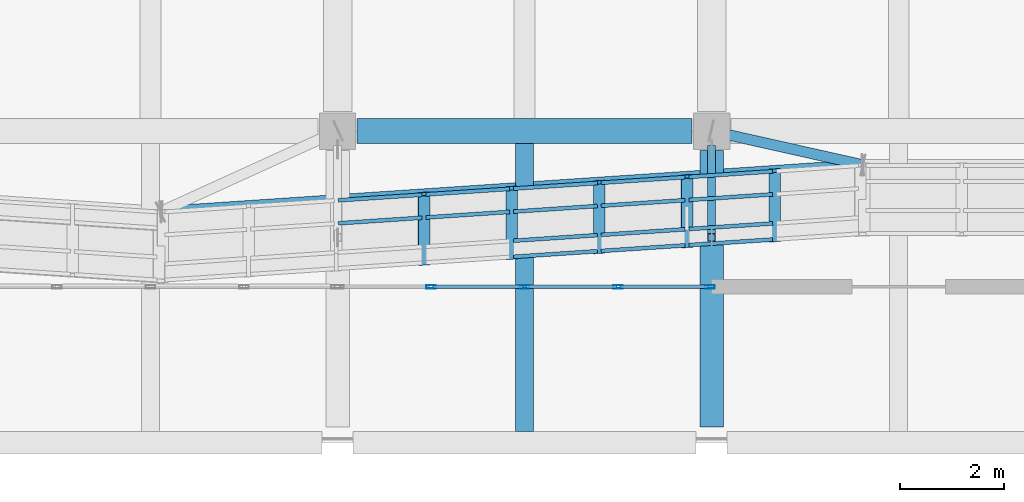
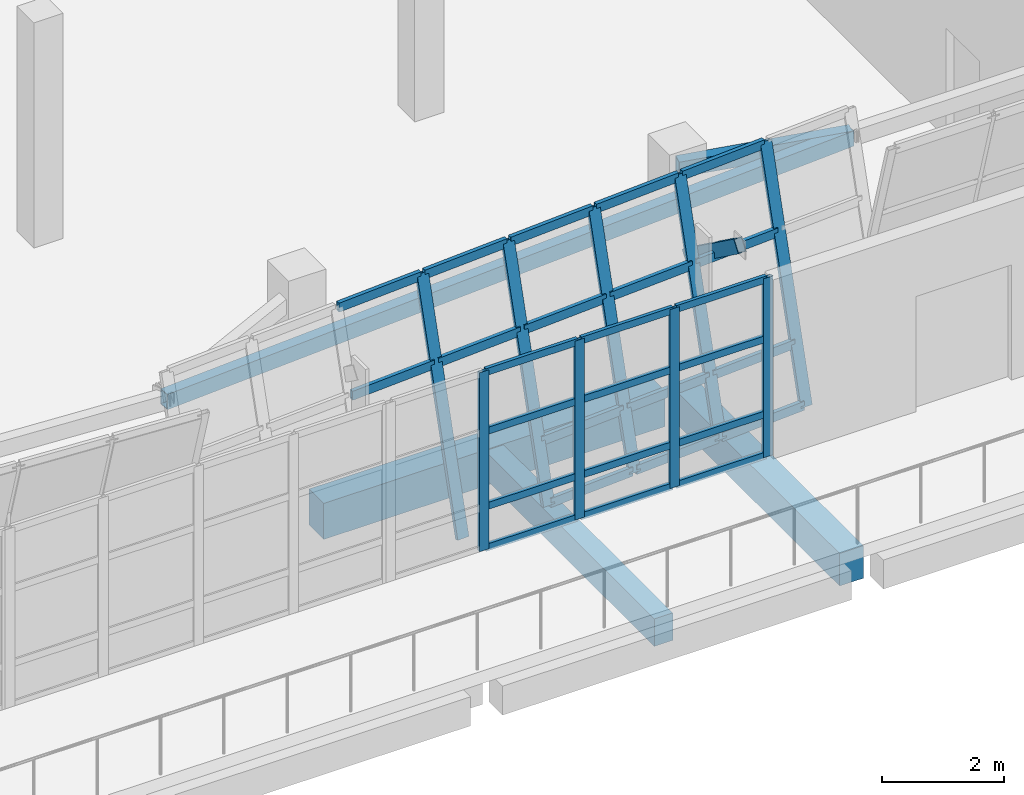
# One storey, part 12 of 67: 38 members, 5 beams, 2 elements without a shape of their own.
"""IFC4 building model written with IfcOpenShell, lengths in metres."""

import ifcopenshell
import ifcopenshell.guid

model = None  # the IFC model being written
_history = None  # IfcOwnerHistory: only IFC2X3 demands one
_inside = {}  # id of a spatial element -> (the spatial element, [elements in it])
_under = {}  # id of a project, library or spatial element -> (it, [spatial elements below it])
_declared = {}  # id of a project -> (the project, [libraries it declares])
_typed = {}  # id of a type object -> (the type object, [elements of that type])
_made_of = {}  # id of a material, layer set ... -> (it, [elements and type objects made of it])


def new_model(schema):
    """Start an empty IFC model of exactly this schema.

    Asked for "IFC4X3", IfcOpenShell would pick the latest addendum, in which some entities
    have other attributes; the version numbers below select the first issue.
    IFC2X3 requires an IfcOwnerHistory on every rooted entity: one is made here for all.
    """
    global model, _history
    if schema == "IFC4X3":
        model = ifcopenshell.file(schema_version=(4, 3, 0, 0))
    else:
        model = ifcopenshell.file(schema=schema)
    _inside.clear()
    _under.clear()
    _declared.clear()
    _typed.clear()
    _made_of.clear()
    _history = None
    if model.schema == "IFC2X3":
        org = make("IfcOrganization", Name="unknown")
        user = make(
            "IfcPersonAndOrganization",
            ThePerson=make("IfcPerson", FamilyName="unknown"),
            TheOrganization=org,
        )
        app = make(
            "IfcApplication",
            ApplicationDeveloper=org,
            Version="unknown",
            ApplicationFullName="unknown",
            ApplicationIdentifier="unknown",
        )
        _history = make(
            "IfcOwnerHistory",
            OwningUser=user,
            OwningApplication=app,
            ChangeAction="ADDED",
            CreationDate=0,
        )
    return model


def make(cls, **values):
    """One entity of the class cls with the attributes given. An attribute that is None is left unset."""
    return model.create_entity(
        cls, **{name: value for name, value in values.items() if value is not None}
    )


def rooted(cls, **values):
    """An entity with a GlobalId (a new one), such as an element, a storey or a relation."""
    return make(cls, GlobalId=ifcopenshell.guid.new(), OwnerHistory=_history, **values)


def si_unit(unit_type, name, prefix=None):
    """IfcSIUnit, for example si_unit("LENGTHUNIT", "METRE", prefix="MILLI")."""
    return make("IfcSIUnit", UnitType=unit_type, Prefix=prefix, Name=name)


def assignment(units):
    """IfcUnitAssignment: the units of a project."""
    return None if units is None else make("IfcUnitAssignment", Units=units)


def point(xyz):
    """IfcCartesianPoint."""
    return None if xyz is None else make("IfcCartesianPoint", Coordinates=xyz)


def direction(xyz):
    """IfcDirection."""
    return None if xyz is None else make("IfcDirection", DirectionRatios=xyz)


def frame(location, z_axis=None, x_axis=None):
    """IfcAxis2Placement3D, a coordinate frame: its origin and axes. An axis left out is left unset."""
    return make(
        "IfcAxis2Placement3D",
        Location=point(location),
        Axis=direction(z_axis),
        RefDirection=direction(x_axis),
    )


def frame_2d(location, x_axis=None):
    """IfcAxis2Placement2D, a coordinate frame in the plane: its origin and x axis."""
    return make(
        "IfcAxis2Placement2D", Location=point(location), RefDirection=direction(x_axis)
    )


def origin():
    """The frame at (0, 0, 0) with its axes left unset."""
    return frame((0.0, 0.0, 0.0))


def origin_2d():
    """The frame at (0, 0) in the plane with its x axis left unset."""
    return frame_2d((0.0, 0.0))


def place(relative_to, where):
    """IfcLocalPlacement: puts the frame where relative to a parent placement (None: the world)."""
    return make(
        "IfcLocalPlacement", PlacementRelTo=relative_to, RelativePlacement=where
    )


def context(
    kind, dimensions, precision=None, world=None, true_north=None, identifier=None
):
    """IfcGeometricRepresentationContext, for example the 3D "Model" context."""
    return make(
        "IfcGeometricRepresentationContext",
        ContextIdentifier=identifier,
        ContextType=kind,
        CoordinateSpaceDimension=dimensions,
        Precision=precision,
        WorldCoordinateSystem=world,
        TrueNorth=true_north,
    )


def subcontext(parent, identifier, kind, view, scale=None):
    """IfcGeometricRepresentationSubContext, for example "Body" below "Model"."""
    return make(
        "IfcGeometricRepresentationSubContext",
        ContextIdentifier=identifier,
        ContextType=kind,
        ParentContext=parent,
        TargetScale=scale,
        TargetView=view,
    )


def project(units=None, contexts=None):
    """IfcProject with its units and contexts."""
    return rooted(
        "IfcProject",
        Name="project",
        RepresentationContexts=contexts,
        UnitsInContext=assignment(units),
    )


def spatial(cls, under=None, at=None, **own):
    """A site, building, storey or space (cls), placed at a placement, below another one or the project."""
    s = rooted(cls, ObjectPlacement=at, **own)
    if under is not None:
        _under.setdefault(under.id(), (under, []))[1].append(s)
    return s


def profile(cls, at=None, kind="AREA", **sizes):
    """A parametric profile (cls). Its sizes go by their IFC names, for example OverallWidth=200.0."""
    return make(cls, ProfileType=kind, Position=at, **sizes)


def rectangle(**sizes):
    """IfcRectangleProfileDef."""
    return profile("IfcRectangleProfileDef", **sizes)


def hollow_rectangle(**sizes):
    """IfcRectangleHollowProfileDef."""
    return profile("IfcRectangleHollowProfileDef", **sizes)


def extrude(swept, where, along, depth):
    """IfcExtrudedAreaSolid: the profile swept, set in the frame where, extruded along a direction by depth."""
    return make(
        "IfcExtrudedAreaSolid",
        SweptArea=swept,
        Position=where,
        ExtrudedDirection=direction(along),
        Depth=depth,
    )


def shape(context_of_items, identifier, shape_type, items):
    """IfcShapeRepresentation: the items that make up one representation, for example the "Body"."""
    return make(
        "IfcShapeRepresentation",
        ContextOfItems=context_of_items,
        RepresentationIdentifier=identifier,
        RepresentationType=shape_type,
        Items=items,
    )


def material(Name=None, Category=None):
    """IfcMaterial."""
    return make("IfcMaterial", Name=Name, Category=Category)


def material_profile(
    of_material, cross_section, Name=None, Category=None, Priority=None
):
    """IfcMaterialProfile: a cross section and its material."""
    return make(
        "IfcMaterialProfile",
        Name=Name,
        Material=of_material,
        Profile=cross_section,
        Priority=Priority,
        Category=Category,
    )


def profile_set(profiles, Name=None, composite=None):
    """IfcMaterialProfileSet."""
    return make(
        "IfcMaterialProfileSet",
        Name=Name,
        MaterialProfiles=profiles,
        CompositeProfile=composite,
    )


def made_of(thing, what):
    """Note that an element or type object is made of a material, layer set ...; save() writes the relation."""
    if what is not None:
        _made_of.setdefault(what.id(), (what, []))[1].append(thing)
    return thing


def type_object(cls, material=None, **own):
    """A type object (cls), such as IfcWallType, which elements share."""
    return made_of(rooted(cls, **own), material)


def element(
    cls,
    number,
    at=None,
    inside=None,
    cuts=None,
    type_object=None,
    material=None,
    context=None,
    identifier="Body",
    shape_type=None,
    held_by="IfcProductDefinitionShape",
    body=None,
    shapes=None,
    **own,
):
    """One element of the class cls, such as IfcWall. Its Tag is "e" and its number.

    at: its placement. inside: the storey or other place that contains it. cuts: it is an
    opening in that element (IfcRelVoidsElement). A single representation is given by context,
    identifier, shape_type and body (its items); several are given by shapes. held_by: the class
    of the entity that holds the representations. save() writes the other relations.
    """
    e = rooted(cls, Tag="e%d" % number, ObjectPlacement=at, **own)
    if body is not None:
        shapes = [shape(context, identifier, shape_type, body)]
    if shapes is not None:
        e.Representation = make(held_by, Representations=shapes)
    if inside is not None:
        _inside.setdefault(inside.id(), (inside, []))[1].append(e)
    if cuts is not None:
        rooted(
            "IfcRelVoidsElement", RelatingBuildingElement=cuts, RelatedOpeningElement=e
        )
    if type_object is not None:
        _typed.setdefault(type_object.id(), (type_object, []))[1].append(e)
    return made_of(e, material)


def aggregate(whole, parts):
    """IfcRelAggregates: a whole, such as a stair, and the parts it consists of."""
    return rooted("IfcRelAggregates", RelatingObject=whole, RelatedObjects=parts)


def save(model, path):
    """Write the relations noted so far, then the file.

    IfcRelAggregates (storeys below a building ...), IfcRelContainedInSpatialStructure (elements
    in a storey), IfcRelDefinesByType, IfcRelAssociatesMaterial and IfcRelDeclares: one each for
    every whole, place, type object, material and project.
    """
    for whole, parts in _under.values():
        aggregate(whole, parts)
    for where, things in _inside.values():
        rooted(
            "IfcRelContainedInSpatialStructure",
            RelatedElements=things,
            RelatingStructure=where,
        )
    for kind, things in _typed.values():
        rooted("IfcRelDefinesByType", RelatedObjects=things, RelatingType=kind)
    for what, things in _made_of.values():
        rooted("IfcRelAssociatesMaterial", RelatedObjects=things, RelatingMaterial=what)
    for by, libraries in _declared.values():
        rooted("IfcRelDeclares", RelatingContext=by, RelatedDefinitions=libraries)
    model.write(path)


model = new_model("IFC4")

# Units and contexts
model_context = context("Model", 3, precision=1e-05, world=origin(), true_north=direction((0.0, 1.0)))
body_context = subcontext(model_context, "Body", "Model", "MODEL_VIEW")
ifc_project = project(units=[si_unit("LENGTHUNIT", "METRE"), si_unit("AREAUNIT", "SQUARE_METRE"), si_unit("VOLUMEUNIT", "CUBIC_METRE"), si_unit("PLANEANGLEUNIT", "RADIAN"), si_unit("MASSUNIT", "GRAM", prefix="KILO")], contexts=[model_context])

# Site, building, storey
site_placement = place(None, origin())
site = spatial("IfcSite", under=ifc_project, at=site_placement, CompositionType="ELEMENT")
building_placement = place(site_placement, origin())
building = spatial("IfcBuilding", under=site, at=building_placement, Name="Pellamere Symphony Hall", CompositionType="ELEMENT")
storey_placement = place(building_placement, frame((0.0, 0.0, 19.5)))
storey = spatial("IfcBuildingStorey", under=building, at=storey_placement, Name="L04", CompositionType="ELEMENT", Elevation=19.5)

# Curtain wall, members
ifc_material_1 = material(Name="Thermally Broken Anodised Aluminium 6063-T6 Curtain Wall", Category="aluminium")
curtain_wall_type_1 = type_object("IfcCurtainWallType", Name="Curtain Wall CW-01 (Tilted Faceted Crystal Low-Iron Curtain Wall)", PredefinedType="NOTDEFINED", material=ifc_material_1)
curtain_wall_1_placement = place(storey_placement, origin())
curtain_wall_1 = element("IfcCurtainWall", 1, at=curtain_wall_1_placement, inside=storey, type_object=curtain_wall_type_1, Name="Crystal Faceted Curtain Wall CW-CR04 (L04)", PredefinedType="NOTDEFINED")
ifc_material_2 = material(Name="Anodised Architectural Aluminium 6063-T6", Category="aluminium")
ifc_material_profile_1 = material_profile(ifc_material_2, hollow_rectangle(XDim=0.074951171875, YDim=0.219970703125, WallThickness=0.0048828125, at=origin_2d()), Name="ALU-M75X220X5")
ifc_profile_set_1 = profile_set([ifc_material_profile_1], Name="Anodised Architectural Aluminium 6063-T6")
member_type_1 = type_object("IfcMemberType", Name="Curtain Wall Mullion ML-01 ALU-M75X220X5", PredefinedType="MULLION", material=ifc_profile_set_1)
member_1_placement = place(storey_placement, frame((96.46240234375, 27.45458984375, 0.0), z_axis=(0.0, 0.284024567884, 0.95881700279), x_axis=(0.066519010519, -0.956693374484, 0.283395498301)))
member_1 = element("IfcMember", 2, at=member_1_placement, type_object=member_type_1, Name="CW1-004 crystal mullion 4", PredefinedType="MULLION", context=body_context, shape_type="SweptSolid", body=[
    extrude(hollow_rectangle(XDim=0.074951171875, YDim=0.219970703125, WallThickness=0.0048828125, at=origin_2d()), origin(), (0.0, 0.0, 1.0), 4.693359375),
])
member_2_placement = place(storey_placement, frame((98.14990234375, 27.56689453125, 0.0), z_axis=(0.0, 0.284024567884, 0.95881700279), x_axis=(0.066519010519, -0.956693374484, 0.283395498301)))
member_2 = element("IfcMember", 3, at=member_2_placement, type_object=member_type_1, Name="CW1-004 crystal mullion 5", PredefinedType="MULLION", context=body_context, shape_type="SweptSolid", body=[
    extrude(hollow_rectangle(XDim=0.074951171875, YDim=0.219970703125, WallThickness=0.0048828125, at=origin_2d()), origin(), (0.0, 0.0, 1.0), 4.693359375),
])
member_3_placement = place(storey_placement, frame((99.83740234375, 27.679443359375, 0.0), z_axis=(0.0, 0.284024567884, 0.95881700279), x_axis=(0.066519010519, -0.956693374484, 0.283395498301)))
member_3 = element("IfcMember", 4, at=member_3_placement, type_object=member_type_1, Name="CW1-004 crystal mullion 6", PredefinedType="MULLION", context=body_context, shape_type="SweptSolid", body=[
    extrude(hollow_rectangle(XDim=0.074951171875, YDim=0.219970703125, WallThickness=0.0048828125, at=origin_2d()), origin(), (0.0, 0.0, 1.0), 4.693359375),
])
member_4_placement = place(storey_placement, frame((101.52490234375, 27.7919921875, 0.0), z_axis=(0.0, 0.284024567884, 0.95881700279), x_axis=(0.066519010519, -0.956693374484, 0.283395498301)))
member_4 = element("IfcMember", 5, at=member_4_placement, type_object=member_type_1, Name="CW1-004 crystal mullion 7", PredefinedType="MULLION", context=body_context, shape_type="SweptSolid", body=[
    extrude(hollow_rectangle(XDim=0.074951171875, YDim=0.219970703125, WallThickness=0.0048828125, at=origin_2d()), origin(), (0.0, 0.0, 1.0), 4.693359375),
])
member_5_placement = place(storey_placement, frame((103.21240234375, 27.904541015625, 0.0), z_axis=(0.0, 0.284024567884, 0.95881700279), x_axis=(0.066519010519, -0.956693374484, 0.283395498301)))
member_5 = element("IfcMember", 6, at=member_5_placement, type_object=member_type_1, Name="CW1-004 crystal mullion 8", PredefinedType="MULLION", context=body_context, shape_type="SweptSolid", body=[
    extrude(hollow_rectangle(XDim=0.074951171875, YDim=0.219970703125, WallThickness=0.0048828125, at=origin_2d()), origin(), (0.0, 0.0, 1.0), 4.693359375),
])

curtain_wall_type_2 = type_object("IfcCurtainWallType", Name="Curtain Wall CW-06 (Belvedere Terrace Clerestory Curtain Wall)", PredefinedType="NOTDEFINED", material=ifc_material_1)
curtain_wall_2_placement = place(storey_placement, origin())
curtain_wall_2 = element("IfcCurtainWall", 7, at=curtain_wall_2_placement, inside=storey, type_object=curtain_wall_type_2, Name="Winter-Garden South Curtain Wall (L04 Bay 7)", PredefinedType="NOTDEFINED")
ifc_material_profile_2 = material_profile(ifc_material_2, hollow_rectangle(XDim=0.06494140625, YDim=0.179931640625, WallThickness=0.00390625, at=origin_2d()), Name="ALU-M65X180X4")
ifc_profile_set_2 = profile_set([ifc_material_profile_2], Name="Anodised Architectural Aluminium 6063-T6")
member_type_2 = type_object("IfcMemberType", Name="Curtain Wall Mullion ML-02 ALU-M65X180X4", PredefinedType="MULLION", material=ifc_profile_set_2)
member_6_placement = place(storey_placement, frame((96.60009765625, 27.0, 0.0), z_axis=(0.0, 0.0, 1.0), x_axis=(0.0, 1.0, 0.0)))
member_6 = element("IfcMember", 8, at=member_6_placement, type_object=member_type_2, Name="CW2-100 crystal mullion 2", PredefinedType="MULLION", context=body_context, shape_type="SweptSolid", body=[
    extrude(hollow_rectangle(XDim=0.06494140625, YDim=0.179931640625, WallThickness=0.00390625, at=origin_2d()), origin(), (0.0, 0.0, 1.0), 3.577392578125),
])
member_7_placement = place(storey_placement, frame((98.39990234375, 27.0, 0.0), z_axis=(0.0, 0.0, 1.0), x_axis=(0.0, 1.0, 0.0)))
member_7 = element("IfcMember", 9, at=member_7_placement, type_object=member_type_2, Name="CW2-100 crystal mullion 3", PredefinedType="MULLION", context=body_context, shape_type="SweptSolid", body=[
    extrude(hollow_rectangle(XDim=0.06494140625, YDim=0.179931640625, WallThickness=0.00390625, at=origin_2d()), origin(), (0.0, 0.0, 1.0), 3.577392578125),
])
member_8_placement = place(storey_placement, frame((100.199951171875, 27.0, 0.0), z_axis=(0.0, 0.0, 1.0), x_axis=(0.0, 1.0, 0.0)))
member_8 = element("IfcMember", 10, at=member_8_placement, type_object=member_type_2, Name="CW2-100 crystal mullion 4", PredefinedType="MULLION", context=body_context, shape_type="SweptSolid", body=[
    extrude(hollow_rectangle(XDim=0.06494140625, YDim=0.179931640625, WallThickness=0.00390625, at=origin_2d()), origin(), (0.0, 0.0, 1.0), 3.577392578125),
])
member_9_placement = place(storey_placement, frame((101.967529296875, 27.0, 0.0), z_axis=(0.0, 0.0, 1.0), x_axis=(0.0, 1.0, 0.0)))
member_9 = element("IfcMember", 11, at=member_9_placement, type_object=member_type_2, Name="CW2-100 crystal mullion 5", PredefinedType="MULLION", context=body_context, shape_type="SweptSolid", body=[
    extrude(hollow_rectangle(XDim=0.06494140625, YDim=0.179931640625, WallThickness=0.00390625, at=origin_2d()), origin(), (0.0, 0.0, 1.0), 3.577392578125),
])

# Member
ifc_material_profile_3 = material_profile(ifc_material_2, hollow_rectangle(XDim=0.074951171875, YDim=0.179931640625, WallThickness=0.0048828125, at=origin_2d()), Name="ALU-T75X180X5")
ifc_profile_set_3 = profile_set([ifc_material_profile_3], Name="Anodised Architectural Aluminium 6063-T6")
member_type_3 = type_object("IfcMemberType", Name="Curtain Wall Transom TR-01 ALU-T75X180X5", PredefinedType="USERDEFINED", material=ifc_profile_set_3)
member_10_placement = place(storey_placement, frame((94.8125, 28.224365234375, 2.969970703125), z_axis=(0.997788498757, 0.06646887804, 0.0), x_axis=(-0.06646887804, 0.997788498757, 0.0)))
member_10 = element("IfcMember", 12, at=member_10_placement, type_object=member_type_3, Name="CW1-004 crystal transom 3.3", ObjectType="TRANSOM", PredefinedType="USERDEFINED", context=body_context, shape_type="SweptSolid", body=[
    extrude(hollow_rectangle(XDim=0.074951171875, YDim=0.179931640625, WallThickness=0.0048828125, at=origin_2d()), origin(), (0.0, 0.0, 1.0), 1.6162109375),
])

member_11_placement = place(storey_placement, frame((94.8125, 28.666748046875, 4.464111328125), z_axis=(0.997778468566, 0.06661927398, 0.0), x_axis=(-0.06661927398, 0.997778468566, 0.0)))
member_11 = element("IfcMember", 13, at=member_11_placement, type_object=member_type_3, Name="CW1-004 crystal transom 3.4", ObjectType="TRANSOM", PredefinedType="USERDEFINED", context=body_context, shape_type="SweptSolid", body=[
    extrude(hollow_rectangle(XDim=0.074951171875, YDim=0.179931640625, WallThickness=0.0048828125, at=origin_2d()), origin(), (0.0, 0.0, 1.0), 1.6162109375),
])

member_12_placement = place(storey_placement, frame((96.5, 28.336669921875, 2.969970703125), z_axis=(0.997778468566, 0.06661927398, 0.0), x_axis=(-0.06661927398, 0.997778468566, 0.0)))
member_12 = element("IfcMember", 14, at=member_12_placement, type_object=member_type_3, Name="CW1-004 crystal transom 4.3", ObjectType="TRANSOM", PredefinedType="USERDEFINED", context=body_context, shape_type="SweptSolid", body=[
    extrude(hollow_rectangle(XDim=0.074951171875, YDim=0.179931640625, WallThickness=0.0048828125, at=origin_2d()), origin(), (0.0, 0.0, 1.0), 1.6162109375),
])

member_13_placement = place(storey_placement, frame((96.5, 28.779296875, 4.464111328125), z_axis=(0.997778468566, 0.06661927398, 0.0), x_axis=(-0.06661927398, 0.997778468566, 0.0)))
member_13 = element("IfcMember", 15, at=member_13_placement, type_object=member_type_3, Name="CW1-004 crystal transom 4.4", ObjectType="TRANSOM", PredefinedType="USERDEFINED", context=body_context, shape_type="SweptSolid", body=[
    extrude(hollow_rectangle(XDim=0.074951171875, YDim=0.179931640625, WallThickness=0.0048828125, at=origin_2d()), origin(), (0.0, 0.0, 1.0), 1.6162109375),
])

member_14_placement = place(storey_placement, frame((98.1875, 27.580078125, 0.035888671875), z_axis=(0.997778468566, 0.06661927398, 0.0), x_axis=(-0.06661927398, 0.997778468566, 0.0)))
member_14 = element("IfcMember", 16, at=member_14_placement, type_object=member_type_3, Name="CW1-004 crystal transom 5.1", ObjectType="TRANSOM", PredefinedType="USERDEFINED", context=body_context, shape_type="SweptSolid", body=[
    extrude(hollow_rectangle(XDim=0.074951171875, YDim=0.179931640625, WallThickness=0.0048828125, at=origin_2d()), origin(), (0.0, 0.0, 1.0), 1.6162109375),
])

member_15_placement = place(storey_placement, frame((98.1875, 27.889404296875, 1.080078125), z_axis=(0.997788498757, 0.06646887804, 0.0), x_axis=(-0.06646887804, 0.997788498757, 0.0)))
member_15 = element("IfcMember", 17, at=member_15_placement, type_object=member_type_3, Name="CW1-004 crystal transom 5.2", ObjectType="TRANSOM", PredefinedType="USERDEFINED", context=body_context, shape_type="SweptSolid", body=[
    extrude(hollow_rectangle(XDim=0.074951171875, YDim=0.179931640625, WallThickness=0.0048828125, at=origin_2d()), origin(), (0.0, 0.0, 1.0), 1.6162109375),
])

member_16_placement = place(storey_placement, frame((98.1875, 28.44921875, 2.969970703125), z_axis=(0.997778468566, 0.06661927398, 0.0), x_axis=(-0.06661927398, 0.997778468566, 0.0)))
member_16 = element("IfcMember", 18, at=member_16_placement, type_object=member_type_3, Name="CW1-004 crystal transom 5.3", ObjectType="TRANSOM", PredefinedType="USERDEFINED", context=body_context, shape_type="SweptSolid", body=[
    extrude(hollow_rectangle(XDim=0.074951171875, YDim=0.179931640625, WallThickness=0.0048828125, at=origin_2d()), origin(), (0.0, 0.0, 1.0), 1.6162109375),
])

member_17_placement = place(storey_placement, frame((98.1875, 28.891845703125, 4.464111328125), z_axis=(0.997788498757, 0.06646887804, 0.0), x_axis=(-0.06646887804, 0.997788498757, 0.0)))
member_17 = element("IfcMember", 19, at=member_17_placement, type_object=member_type_3, Name="CW1-004 crystal transom 5.4", ObjectType="TRANSOM", PredefinedType="USERDEFINED", context=body_context, shape_type="SweptSolid", body=[
    extrude(hollow_rectangle(XDim=0.074951171875, YDim=0.179931640625, WallThickness=0.0048828125, at=origin_2d()), origin(), (0.0, 0.0, 1.0), 1.6162109375),
])

member_18_placement = place(storey_placement, frame((99.875, 27.692626953125, 0.035888671875), z_axis=(0.997788498757, 0.06646887804, 0.0), x_axis=(-0.06646887804, 0.997788498757, 0.0)))
member_18 = element("IfcMember", 20, at=member_18_placement, type_object=member_type_3, Name="CW1-004 crystal transom 6.1", ObjectType="TRANSOM", PredefinedType="USERDEFINED", context=body_context, shape_type="SweptSolid", body=[
    extrude(hollow_rectangle(XDim=0.074951171875, YDim=0.179931640625, WallThickness=0.0048828125, at=origin_2d()), origin(), (0.0, 0.0, 1.0), 1.6162109375),
])

member_19_placement = place(storey_placement, frame((99.875, 28.001953125, 1.080078125), z_axis=(0.997788498757, 0.06646887804, 0.0), x_axis=(-0.06646887804, 0.997788498757, 0.0)))
member_19 = element("IfcMember", 21, at=member_19_placement, type_object=member_type_3, Name="CW1-004 crystal transom 6.2", ObjectType="TRANSOM", PredefinedType="USERDEFINED", context=body_context, shape_type="SweptSolid", body=[
    extrude(hollow_rectangle(XDim=0.074951171875, YDim=0.179931640625, WallThickness=0.0048828125, at=origin_2d()), origin(), (0.0, 0.0, 1.0), 1.6162109375),
])

member_20_placement = place(storey_placement, frame((99.875, 28.561767578125, 2.969970703125), z_axis=(0.997788498757, 0.06646887804, 0.0), x_axis=(-0.06646887804, 0.997788498757, 0.0)))
member_20 = element("IfcMember", 22, at=member_20_placement, type_object=member_type_3, Name="CW1-004 crystal transom 6.3", ObjectType="TRANSOM", PredefinedType="USERDEFINED", context=body_context, shape_type="SweptSolid", body=[
    extrude(hollow_rectangle(XDim=0.074951171875, YDim=0.179931640625, WallThickness=0.0048828125, at=origin_2d()), origin(), (0.0, 0.0, 1.0), 1.6162109375),
])

member_21_placement = place(storey_placement, frame((99.875, 29.00439453125, 4.464111328125), z_axis=(0.997788498757, 0.06646887804, 0.0), x_axis=(-0.06646887804, 0.997788498757, 0.0)))
member_21 = element("IfcMember", 23, at=member_21_placement, type_object=member_type_3, Name="CW1-004 crystal transom 6.4", ObjectType="TRANSOM", PredefinedType="USERDEFINED", context=body_context, shape_type="SweptSolid", body=[
    extrude(hollow_rectangle(XDim=0.074951171875, YDim=0.179931640625, WallThickness=0.0048828125, at=origin_2d()), origin(), (0.0, 0.0, 1.0), 1.6162109375),
])

member_22_placement = place(storey_placement, frame((101.5625, 27.80517578125, 0.035888671875), z_axis=(0.997788498757, 0.06646887804, 0.0), x_axis=(-0.06646887804, 0.997788498757, 0.0)))
member_22 = element("IfcMember", 24, at=member_22_placement, type_object=member_type_3, Name="CW1-004 crystal transom 7.1", ObjectType="TRANSOM", PredefinedType="USERDEFINED", context=body_context, shape_type="SweptSolid", body=[
    extrude(hollow_rectangle(XDim=0.074951171875, YDim=0.179931640625, WallThickness=0.0048828125, at=origin_2d()), origin(), (0.0, 0.0, 1.0), 1.6162109375),
])

member_23_placement = place(storey_placement, frame((101.5625, 28.114501953125, 1.080078125), z_axis=(0.997788498757, 0.06646887804, 0.0), x_axis=(-0.06646887804, 0.997788498757, 0.0)))
member_23 = element("IfcMember", 25, at=member_23_placement, type_object=member_type_3, Name="CW1-004 crystal transom 7.2", ObjectType="TRANSOM", PredefinedType="USERDEFINED", context=body_context, shape_type="SweptSolid", body=[
    extrude(hollow_rectangle(XDim=0.074951171875, YDim=0.179931640625, WallThickness=0.0048828125, at=origin_2d()), origin(), (0.0, 0.0, 1.0), 1.6162109375),
])

member_24_placement = place(storey_placement, frame((101.5625, 28.67431640625, 2.969970703125), z_axis=(0.997788498757, 0.06646887804, 0.0), x_axis=(-0.06646887804, 0.997788498757, 0.0)))
member_24 = element("IfcMember", 26, at=member_24_placement, type_object=member_type_3, Name="CW1-004 crystal transom 7.3", ObjectType="TRANSOM", PredefinedType="USERDEFINED", context=body_context, shape_type="SweptSolid", body=[
    extrude(hollow_rectangle(XDim=0.074951171875, YDim=0.179931640625, WallThickness=0.0048828125, at=origin_2d()), origin(), (0.0, 0.0, 1.0), 1.6162109375),
])

member_25_placement = place(storey_placement, frame((101.5625, 29.116943359375, 4.464111328125), z_axis=(0.997788498757, 0.06646887804, 0.0), x_axis=(-0.06646887804, 0.997788498757, 0.0)))
member_25 = element("IfcMember", 27, at=member_25_placement, type_object=member_type_3, Name="CW1-004 crystal transom 7.4", ObjectType="TRANSOM", PredefinedType="USERDEFINED", context=body_context, shape_type="SweptSolid", body=[
    extrude(hollow_rectangle(XDim=0.074951171875, YDim=0.179931640625, WallThickness=0.0048828125, at=origin_2d()), origin(), (0.0, 0.0, 1.0), 1.6162109375),
])

aggregate(curtain_wall_1, [member_1, member_2, member_3, member_4, member_5, member_10, member_11, member_12, member_13, member_14, member_15, member_16, member_17, member_18, member_19, member_20, member_21, member_22, member_23, member_24, member_25])

ifc_material_profile_4 = material_profile(ifc_material_2, hollow_rectangle(XDim=0.06494140625, YDim=0.139892578125, WallThickness=0.00390625, at=origin_2d()), Name="ALU-T65X140X4")
ifc_profile_set_4 = profile_set([ifc_material_profile_4], Name="Anodised Architectural Aluminium 6063-T6")
member_type_4 = type_object("IfcMemberType", Name="Curtain Wall Transom TR-02 ALU-T65X140X4", PredefinedType="USERDEFINED", material=ifc_profile_set_4)
member_26_placement = place(storey_placement, frame((96.632568359375, 27.0, 0.032470703125), z_axis=(1.0, 0.0, 0.0), x_axis=(0.0, 1.0, 0.0)))
member_26 = element("IfcMember", 28, at=member_26_placement, type_object=member_type_4, Name="CW2-100 crystal transom 2.1", ObjectType="TRANSOM", PredefinedType="USERDEFINED", context=body_context, shape_type="SweptSolid", body=[
    extrude(hollow_rectangle(XDim=0.06494140625, YDim=0.139892578125, WallThickness=0.00390625, at=origin_2d()), origin(), (0.0, 0.0, 1.0), 1.73486328125),
])

member_27_placement = place(storey_placement, frame((96.632568359375, 27.0, 0.858642578125), z_axis=(1.0, 0.0, 0.0), x_axis=(0.0, 1.0, 0.0)))
member_27 = element("IfcMember", 29, at=member_27_placement, type_object=member_type_4, Name="CW2-100 crystal transom 2.2", ObjectType="TRANSOM", PredefinedType="USERDEFINED", context=body_context, shape_type="SweptSolid", body=[
    extrude(hollow_rectangle(XDim=0.06494140625, YDim=0.139892578125, WallThickness=0.00390625, at=origin_2d()), origin(), (0.0, 0.0, 1.0), 1.73486328125),
])

member_28_placement = place(storey_placement, frame((96.632568359375, 27.0, 2.361083984375), z_axis=(1.0, 0.0, 0.0), x_axis=(0.0, 1.0, 0.0)))
member_28 = element("IfcMember", 30, at=member_28_placement, type_object=member_type_4, Name="CW2-100 crystal transom 2.3", ObjectType="TRANSOM", PredefinedType="USERDEFINED", context=body_context, shape_type="SweptSolid", body=[
    extrude(hollow_rectangle(XDim=0.06494140625, YDim=0.139892578125, WallThickness=0.00390625, at=origin_2d()), origin(), (0.0, 0.0, 1.0), 1.73486328125),
])

member_29_placement = place(storey_placement, frame((96.632568359375, 27.0, 3.544921875), z_axis=(1.0, 0.0, 0.0), x_axis=(0.0, 1.0, 0.0)))
member_29 = element("IfcMember", 31, at=member_29_placement, type_object=member_type_4, Name="CW2-100 crystal transom 2.4", ObjectType="TRANSOM", PredefinedType="USERDEFINED", context=body_context, shape_type="SweptSolid", body=[
    extrude(hollow_rectangle(XDim=0.06494140625, YDim=0.139892578125, WallThickness=0.00390625, at=origin_2d()), origin(), (0.0, 0.0, 1.0), 1.73486328125),
])

member_30_placement = place(storey_placement, frame((98.4326171875, 27.0, 0.032470703125), z_axis=(1.0, 0.0, 0.0), x_axis=(0.0, 1.0, 0.0)))
member_30 = element("IfcMember", 32, at=member_30_placement, type_object=member_type_4, Name="CW2-100 crystal transom 3.1", ObjectType="TRANSOM", PredefinedType="USERDEFINED", context=body_context, shape_type="SweptSolid", body=[
    extrude(hollow_rectangle(XDim=0.06494140625, YDim=0.139892578125, WallThickness=0.00390625, at=origin_2d()), origin(), (0.0, 0.0, 1.0), 1.73486328125),
])

member_31_placement = place(storey_placement, frame((98.4326171875, 27.0, 0.858642578125), z_axis=(1.0, 0.0, 0.0), x_axis=(0.0, 1.0, 0.0)))
member_31 = element("IfcMember", 33, at=member_31_placement, type_object=member_type_4, Name="CW2-100 crystal transom 3.2", ObjectType="TRANSOM", PredefinedType="USERDEFINED", context=body_context, shape_type="SweptSolid", body=[
    extrude(hollow_rectangle(XDim=0.06494140625, YDim=0.139892578125, WallThickness=0.00390625, at=origin_2d()), origin(), (0.0, 0.0, 1.0), 1.73486328125),
])

member_32_placement = place(storey_placement, frame((98.4326171875, 27.0, 2.361083984375), z_axis=(1.0, 0.0, 0.0), x_axis=(0.0, 1.0, 0.0)))
member_32 = element("IfcMember", 34, at=member_32_placement, type_object=member_type_4, Name="CW2-100 crystal transom 3.3", ObjectType="TRANSOM", PredefinedType="USERDEFINED", context=body_context, shape_type="SweptSolid", body=[
    extrude(hollow_rectangle(XDim=0.06494140625, YDim=0.139892578125, WallThickness=0.00390625, at=origin_2d()), origin(), (0.0, 0.0, 1.0), 1.73486328125),
])

member_33_placement = place(storey_placement, frame((98.4326171875, 27.0, 3.544921875), z_axis=(1.0, 0.0, 0.0), x_axis=(0.0, 1.0, 0.0)))
member_33 = element("IfcMember", 35, at=member_33_placement, type_object=member_type_4, Name="CW2-100 crystal transom 3.4", ObjectType="TRANSOM", PredefinedType="USERDEFINED", context=body_context, shape_type="SweptSolid", body=[
    extrude(hollow_rectangle(XDim=0.06494140625, YDim=0.139892578125, WallThickness=0.00390625, at=origin_2d()), origin(), (0.0, 0.0, 1.0), 1.73486328125),
])

member_34_placement = place(storey_placement, frame((100.232421875, 27.0, 0.032470703125), z_axis=(1.0, 0.0, 0.0), x_axis=(0.0, 1.0, 0.0)))
member_34 = element("IfcMember", 36, at=member_34_placement, type_object=member_type_4, Name="CW2-100 crystal transom 4.1", ObjectType="TRANSOM", PredefinedType="USERDEFINED", context=body_context, shape_type="SweptSolid", body=[
    extrude(hollow_rectangle(XDim=0.06494140625, YDim=0.139892578125, WallThickness=0.00390625, at=origin_2d()), origin(), (0.0, 0.0, 1.0), 1.70263671875),
])

member_35_placement = place(storey_placement, frame((100.232421875, 27.0, 0.858642578125), z_axis=(1.0, 0.0, 0.0), x_axis=(0.0, 1.0, 0.0)))
member_35 = element("IfcMember", 37, at=member_35_placement, type_object=member_type_4, Name="CW2-100 crystal transom 4.2", ObjectType="TRANSOM", PredefinedType="USERDEFINED", context=body_context, shape_type="SweptSolid", body=[
    extrude(hollow_rectangle(XDim=0.06494140625, YDim=0.139892578125, WallThickness=0.00390625, at=origin_2d()), origin(), (0.0, 0.0, 1.0), 1.70263671875),
])

member_36_placement = place(storey_placement, frame((100.232421875, 27.0, 2.361083984375), z_axis=(1.0, 0.0, 0.0), x_axis=(0.0, 1.0, 0.0)))
member_36 = element("IfcMember", 38, at=member_36_placement, type_object=member_type_4, Name="CW2-100 crystal transom 4.3", ObjectType="TRANSOM", PredefinedType="USERDEFINED", context=body_context, shape_type="SweptSolid", body=[
    extrude(hollow_rectangle(XDim=0.06494140625, YDim=0.139892578125, WallThickness=0.00390625, at=origin_2d()), origin(), (0.0, 0.0, 1.0), 1.70263671875),
])

member_37_placement = place(storey_placement, frame((100.232421875, 27.0, 3.544921875), z_axis=(1.0, 0.0, 0.0), x_axis=(0.0, 1.0, 0.0)))
member_37 = element("IfcMember", 39, at=member_37_placement, type_object=member_type_4, Name="CW2-100 crystal transom 4.4", ObjectType="TRANSOM", PredefinedType="USERDEFINED", context=body_context, shape_type="SweptSolid", body=[
    extrude(hollow_rectangle(XDim=0.06494140625, YDim=0.139892578125, WallThickness=0.00390625, at=origin_2d()), origin(), (0.0, 0.0, 1.0), 1.70263671875),
])

aggregate(curtain_wall_2, [member_6, member_7, member_8, member_9, member_26, member_27, member_28, member_29, member_30, member_31, member_32, member_33, member_34, member_35, member_36, member_37])

# Beams
ifc_material_3 = material(Name="Concrete 40 MPa", Category="concrete")
ifc_material_profile_5 = material_profile(ifc_material_3, rectangle(XDim=0.449951171875, YDim=0.64990234375, at=origin_2d()), Name="RC 450x650")
ifc_profile_set_5 = profile_set([ifc_material_profile_5], Name="Concrete 40 MPa")
beam_type_1 = type_object("IfcBeamType", Name="RC CB-08 450x650", PredefinedType="BEAM", material=ifc_profile_set_5)
beam_1_placement = place(storey_placement, frame((102.0, 24.300048828125, -0.5849609375), z_axis=(0.0, 1.0, 0.0), x_axis=(-1.0, 0.0, 0.0)))
element("IfcBeam", 40, at=beam_1_placement, inside=storey, type_object=beam_type_1, Name="Girder CB-08-Y1901 (L04)", PredefinedType="BEAM", context=body_context, shape_type="SweptSolid", body=[
    extrude(rectangle(XDim=0.449951171875, YDim=0.64990234375, at=origin_2d()), origin(), (0.0, 0.0, 1.0), 5.324951171875),
])
ifc_material_4 = material(Name="Concrete 35 MPa", Category="concrete")
ifc_material_profile_6 = material_profile(ifc_material_4, rectangle(XDim=0.35009765625, YDim=0.550048828125, at=origin_2d()), Name="RC 350x550")
ifc_profile_set_6 = profile_set([ifc_material_profile_6], Name="Concrete 35 MPa")
beam_type_2 = type_object("IfcBeamType", Name="RC CB-10 350x550", PredefinedType="BEAM", material=ifc_profile_set_6)
beam_2_placement = place(storey_placement, frame((98.39990234375, 24.219970703125, -0.550048828125), z_axis=(0.0, 1.0, 0.0), x_axis=(-1.0, 0.0, 0.0)))
element("IfcBeam", 41, at=beam_2_placement, inside=storey, type_object=beam_type_2, Name="Secondary Floor Beam CB-10-M1203 (L04)", PredefinedType="BEAM", context=body_context, shape_type="SweptSolid", body=[
    extrude(rectangle(XDim=0.35009765625, YDim=0.550048828125, at=origin_2d()), origin(), (0.0, 0.0, 1.0), 5.5400390625),
])
ifc_material_profile_7 = material_profile(ifc_material_3, rectangle(XDim=0.47998046875, YDim=0.719970703125, at=origin_2d()), Name="RC 480x720")
ifc_profile_set_7 = profile_set([ifc_material_profile_7], Name="Concrete 40 MPa")
beam_type_3 = type_object("IfcBeamType", Name="RC CB-14 480x720", PredefinedType="SPANDREL", material=ifc_profile_set_7)
beam_3_placement = place(storey_placement, frame((95.175048828125, 30.0, -0.6201171875), z_axis=(1.0, 0.0, 0.0), x_axis=(0.0, 1.0, 0.0)))
element("IfcBeam", 42, at=beam_3_placement, inside=storey, type_object=beam_type_3, Name="Girder CB-14-X1809 (L04)", PredefinedType="SPANDREL", context=body_context, shape_type="SweptSolid", body=[
    extrude(rectangle(XDim=0.47998046875, YDim=0.719970703125, at=origin_2d()), origin(), (0.0, 0.0, 1.0), 6.449951171875),
])

# Member
ifc_material_5 = material(Name="Steel CSA G40.21 350W", Category="steel")
ifc_material_profile_8 = material_profile(ifc_material_5, hollow_rectangle(XDim=0.15234375, YDim=0.25390625, WallThickness=0.010986328125, at=origin_2d()), Name="HSS254X152X11")
ifc_profile_set_8 = profile_set([ifc_material_profile_8], Name="Steel CSA G40.21 350W")
member_type_5 = type_object("IfcMemberType", Name="Steel Member SM-07 HSS254X152X11", PredefinedType="STRUT", material=ifc_profile_set_8)
member_38_placement = place(storey_placement, frame((102.0, 29.64990234375, 2.3798828125), z_axis=(0.0, -0.810117421181, 0.586267655512), x_axis=(1.0, 0.0, 0.0)))
element("IfcMember", 43, at=member_38_placement, inside=storey, type_object=member_type_5, Name="Winter-Garden Canopy Knee Strut 07", PredefinedType="STRUT", context=body_context, shape_type="SweptSolid", body=[
    extrude(hollow_rectangle(XDim=0.15234375, YDim=0.25390625, WallThickness=0.010986328125, at=origin_2d()), origin(), (0.0, 0.0, 1.0), 2.098388671875),
])

# Beams
ifc_material_profile_9 = material_profile(ifc_material_5, hollow_rectangle(XDim=0.203125, YDim=0.3046875, WallThickness=0.0126953125, at=origin_2d()), Name="HSS305X203X13")
ifc_profile_set_9 = profile_set([ifc_material_profile_9], Name="Steel CSA G40.21 350W")
beam_type_4 = type_object("IfcBeamType", Name="Steel Spandrel SB-26 HSS305X203X13", PredefinedType="SPANDREL", material=ifc_profile_set_9)
beam_4_placement = place(storey_placement, frame((91.39990234375, 28.449951171875, 3.93994140625), z_axis=(0.997784439215, 0.066529789268, 0.0), x_axis=(-0.066529789268, 0.997784439215, 0.0)))
element("IfcBeam", 44, at=beam_4_placement, inside=storey, type_object=beam_type_4, Name="Crystal Perimeter Ring Beam CW-CR04 (L04)", PredefinedType="SPANDREL", context=body_context, shape_type="SweptSolid", body=[
    extrude(hollow_rectangle(XDim=0.203125, YDim=0.3046875, WallThickness=0.0126953125, at=origin_2d()), origin(), (0.0, 0.0, 1.0), 13.530029296875),
])
beam_5_placement = place(storey_placement, frame((102.0, 30.0, 3.93994140625), z_axis=(0.975795017824, -0.218687181129, 0.0), x_axis=(0.218687181129, 0.975795017824, 0.0)))
element("IfcBeam", 45, at=beam_5_placement, inside=storey, type_object=beam_type_4, Name="Crystal Ring Outrigger Bracket 009 (L04)", PredefinedType="SPANDREL", context=body_context, shape_type="SweptSolid", body=[
    extrude(hollow_rectangle(XDim=0.203125, YDim=0.3046875, WallThickness=0.0126953125, at=origin_2d()), origin(), (0.0, 0.0, 1.0), 2.971923828125),
])

save(model, "model.ifc")
